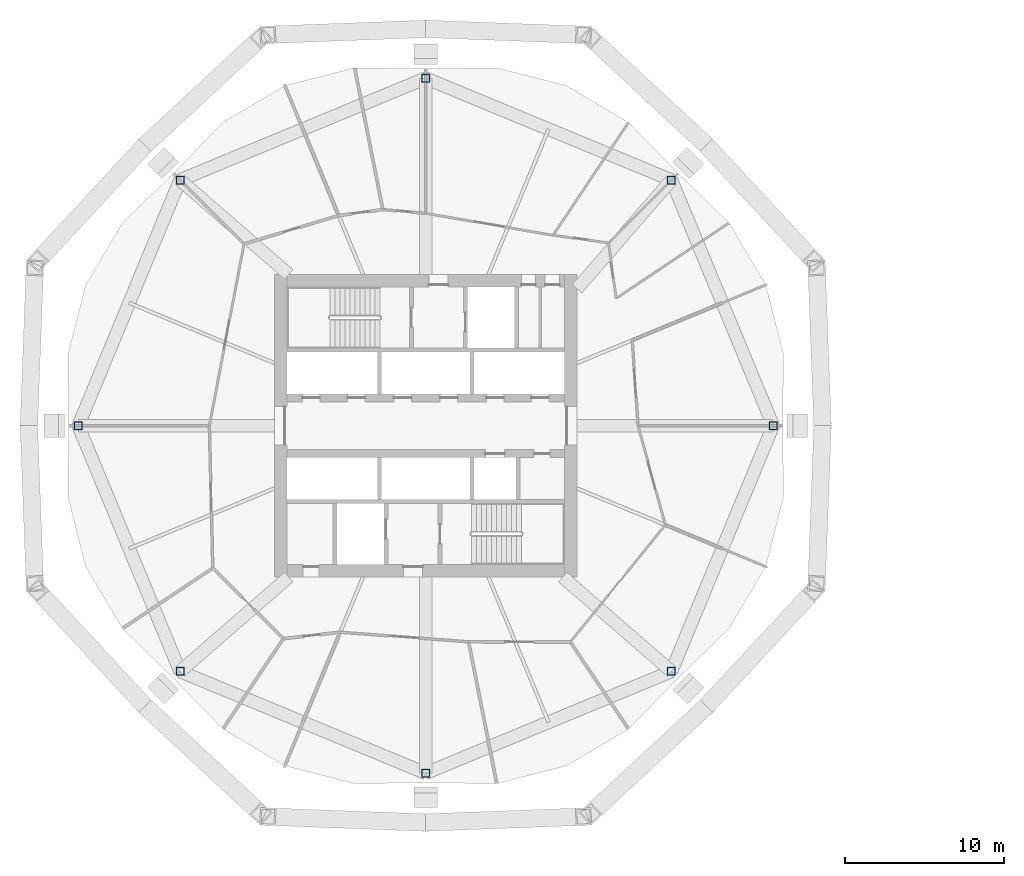
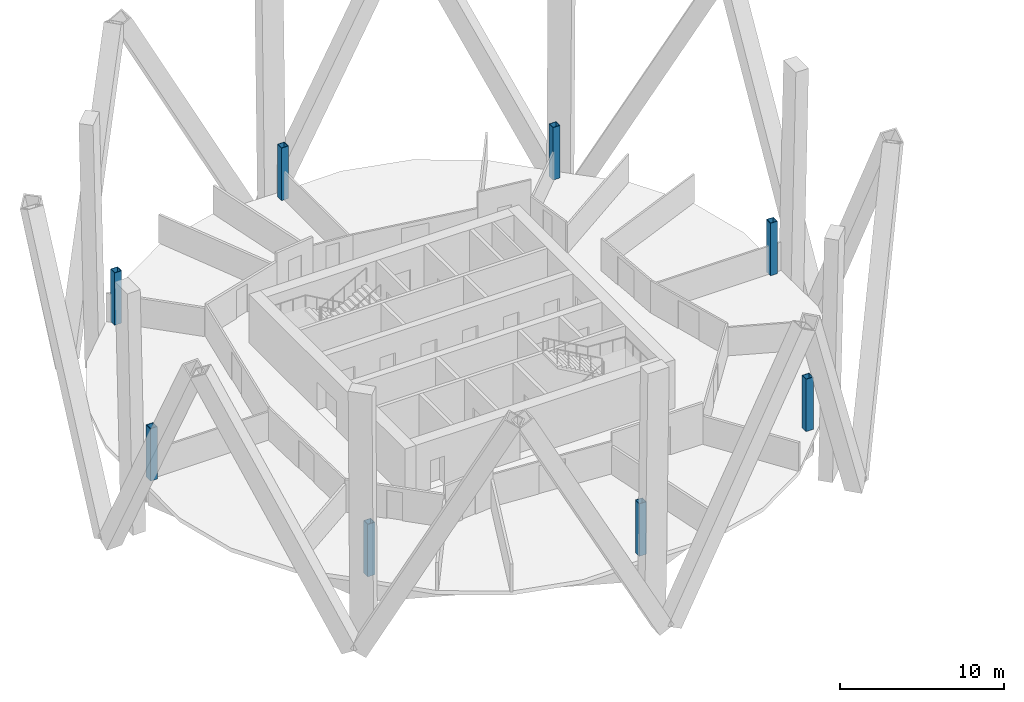
# One storey, part 1 of 10: 8 columns.
"""IFC4 building model written with IfcOpenShell, lengths in metres."""

from ifc_helpers import new_model, si_unit, direction, frame, origin, origin_2d, place, context, subcontext, project, spatial, hollow_rectangle, extrude, material, material_profile, profile_set, type_object, element, save


model = new_model("IFC4")

# Units and contexts
model_context = context("Model", 3, precision=1e-05, world=origin(), true_north=direction((0.0, 1.0)))
body_context = subcontext(model_context, "Body", "Model", "MODEL_VIEW")
ifc_project = project(units=[si_unit("LENGTHUNIT", "METRE"), si_unit("AREAUNIT", "SQUARE_METRE"), si_unit("VOLUMEUNIT", "CUBIC_METRE"), si_unit("PLANEANGLEUNIT", "RADIAN"), si_unit("MASSUNIT", "GRAM", prefix="KILO")], contexts=[model_context])

# Site, building, storey
site_placement = place(None, origin())
site = spatial("IfcSite", under=ifc_project, at=site_placement, CompositionType="ELEMENT")
building_placement = place(site_placement, origin())
building = spatial("IfcBuilding", under=site, at=building_placement, Name="Ogive Gate Towers", CompositionType="ELEMENT")
storey_placement = place(building_placement, frame((0.0, 0.0, 36.300048828125)))
storey = spatial("IfcBuildingStorey", under=building, at=storey_placement, Name="L07", CompositionType="ELEMENT", Elevation=36.300048828125)

# Columns
ifc_material = material(Name="Steel SM460", Category="steel")
ifc_material_profile = material_profile(ifc_material, hollow_rectangle(XDim=0.5, YDim=0.5, WallThickness=0.030029296875, at=origin_2d()), Name="BX 500x500x30")
ifc_profile_set = profile_set([ifc_material_profile], Name="Steel SM460")
column_type = type_object("IfcColumnType", Name="Perimeter post BX 500x500x30", PredefinedType="COLUMN", material=ifc_profile_set)
for number, where, z_axis, x_axis, name in (
    (1, (-14.18994140625, 0.0, 0.0), (0.0, 0.0, 1.0), (1.0, 0.0, 0.0), "T1/L07/SCL001"),
    (2, (-20.577880859375, 15.422119140625, 0.0), (0.0, 0.0, 1.0), (1.0, 0.0, 0.0), "T1/L07/SCL002"),
    (3, (-36.0, 21.81005859375, 0.0), (0.0, 0.0, 1.0), (1.0, 0.0, 0.0), "T1/L07/SCL003"),
    (4, (-51.422119140625, 15.422119140625, 0.0), (0.0, 0.0, 1.0), (1.0, 0.0, 0.0), "T1/L07/SCL004"),
    (5, (-57.81005859375, 0.0, 0.0), (0.0, 0.0, 1.0), (1.0, 0.0, 0.0), "T1/L07/SCL005"),
    (6, (-51.422119140625, -15.422119140625, 0.0), (0.0, 0.0, 1.0), (1.0, 0.0, 0.0), "T1/L07/SCL006"),
    (7, (-36.0, -21.81005859375, 0.0), (0.0, 0.0, 1.0), (1.0, 0.0, 0.0), "T1/L07/SCL007"),
    (8, (-20.577880859375, -15.422119140625, 0.0), (0.0, 0.0, 1.0), (1.0, 0.0, 0.0), "T1/L07/SCL008"),
):
    element("IfcColumn", number, at=place(storey_placement, frame(where, z_axis=z_axis, x_axis=x_axis)), inside=storey, type_object=column_type, Name=name, PredefinedType="COLUMN", context=body_context, shape_type="SweptSolid", body=[
        extrude(hollow_rectangle(XDim=0.5, YDim=0.5, WallThickness=0.030029296875, at=origin_2d()), origin(), (0.0, 0.0, 1.0), 3.89990234375),
    ])

save(model, "model.ifc")
